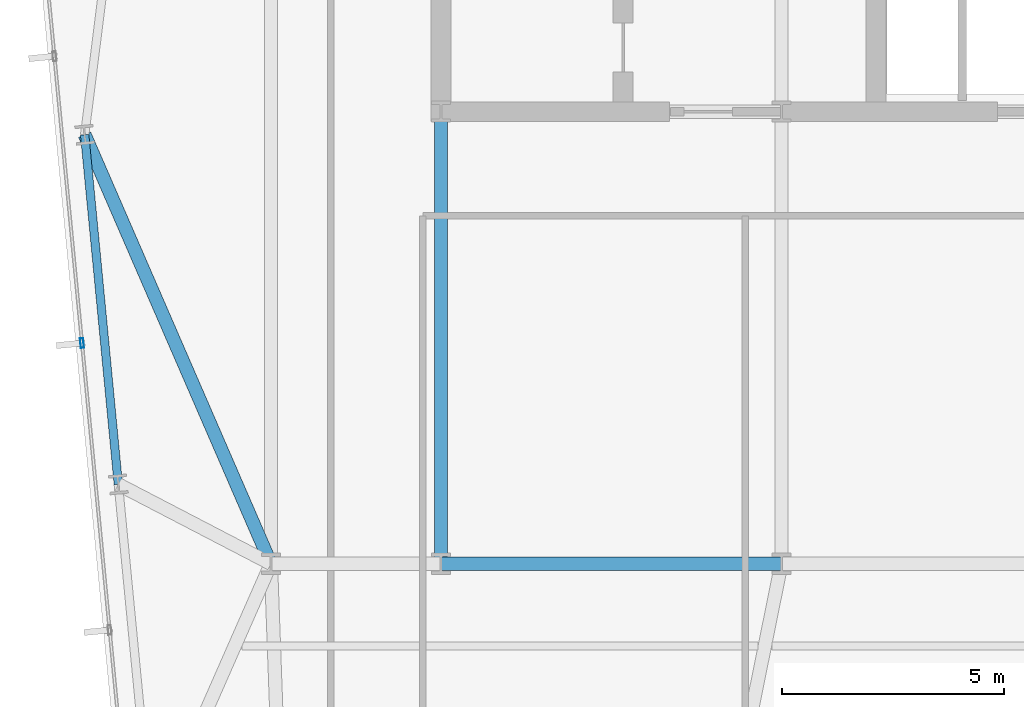
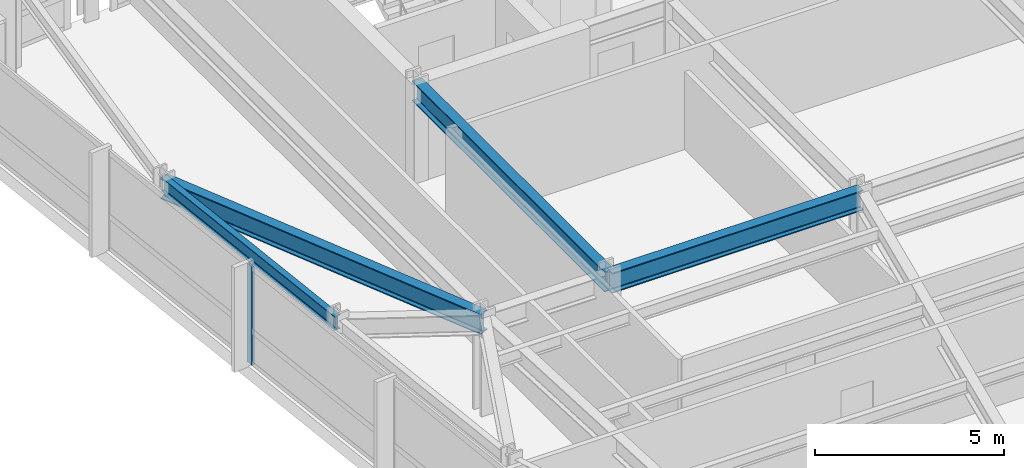
# One storey, part 7 of 33: 4 beams, 1 member, 1 element without a shape of its own.
"""IFC4 building model written with IfcOpenShell, lengths in metres."""

from ifc_helpers import new_model, si_unit, direction, frame, origin, origin_2d, place, context, subcontext, project, spatial, hollow_rectangle, i_section, extrude, material, material_profile, profile_set, type_object, element, aggregate, save


model = new_model("IFC4")

# Units and contexts
model_context = context("Model", 3, precision=1e-05, world=origin(), true_north=direction((0.0, 1.0)))
body_context = subcontext(model_context, "Body", "Model", "MODEL_VIEW")
ifc_project = project(units=[si_unit("LENGTHUNIT", "METRE"), si_unit("AREAUNIT", "SQUARE_METRE"), si_unit("VOLUMEUNIT", "CUBIC_METRE"), si_unit("PLANEANGLEUNIT", "RADIAN"), si_unit("MASSUNIT", "GRAM", prefix="KILO")], contexts=[model_context])

# Site, building, storey
site_placement = place(None, origin())
site = spatial("IfcSite", under=ifc_project, at=site_placement, CompositionType="ELEMENT")
building_placement = place(site_placement, origin())
building = spatial("IfcBuilding", under=site, at=building_placement, Name="Yelkora Congress Tower", CompositionType="ELEMENT")
storey_placement = place(building_placement, frame((0.0, 0.0, 89.699951171875)))
storey = spatial("IfcBuildingStorey", under=building, at=storey_placement, Name="L23", CompositionType="ELEMENT", Elevation=89.699951171875)

# Beams
ifc_material_1 = material(Name="Steel S355J2", Category="steel")
ifc_material_profile_1 = material_profile(ifc_material_1, i_section(OverallWidth=0.300048828125, OverallDepth=0.64990234375, WebThickness=0.01611328125, FlangeThickness=0.031005859375, FilletRadius=0.027099609375, at=origin_2d()), Name="HEB 650")
ifc_profile_set_1 = profile_set([ifc_material_profile_1], Name="Steel S355J2")
beam_type_1 = type_object("IfcBeamType", Name="BM-GIRD-HEB650", PredefinedType="BEAM", material=ifc_profile_set_1)
beam_1_placement = place(storey_placement, frame((23.0400390625, 25.199951171875, 2.85498046875), z_axis=(1.0, 0.0, 0.0), x_axis=(0.0, 1.0, 0.0)))
element("IfcBeam", 1, at=beam_1_placement, inside=storey, type_object=beam_type_1, Name="L23 Spine Grid D Girder 2", PredefinedType="BEAM", context=body_context, shape_type="SweptSolid", body=[
    extrude(i_section(OverallWidth=0.300048828125, OverallDepth=0.64990234375, WebThickness=0.01611328125, FlangeThickness=0.031005859375, FilletRadius=0.027099609375, at=origin_2d()), origin(), (0.0, 0.0, 1.0), 7.679931640625),
])
beam_2_placement = place(storey_placement, frame((23.0400390625, 25.199951171875, 2.85498046875), z_axis=(0.0, 1.0, 0.0), x_axis=(-1.0, 0.0, 0.0)))
element("IfcBeam", 2, at=beam_2_placement, inside=storey, type_object=beam_type_1, Name="L23 Core Tie Girder MC-D1", PredefinedType="BEAM", context=body_context, shape_type="SweptSolid", body=[
    extrude(i_section(OverallWidth=0.300048828125, OverallDepth=0.64990234375, WebThickness=0.01611328125, FlangeThickness=0.031005859375, FilletRadius=0.027099609375, at=origin_2d()), origin(), (0.0, 0.0, 1.0), 10.199951171875),
])
beam_3_placement = place(storey_placement, frame((14.997314453125, 34.87890625, 2.85498046875), z_axis=(0.398279362914, -0.917264165373, 0.0), x_axis=(0.917264165373, 0.398279362914, 0.0)))
element("IfcBeam", 3, at=beam_3_placement, inside=storey, type_object=beam_type_1, Name="L23 Primary Frame Girder W03", PredefinedType="BEAM", context=body_context, shape_type="SweptSolid", body=[
    extrude(i_section(OverallWidth=0.300048828125, OverallDepth=0.64990234375, WebThickness=0.01611328125, FlangeThickness=0.031005859375, FilletRadius=0.027099609375, at=origin_2d()), origin(), (0.0, 0.0, 1.0), 10.552001953125),
])
ifc_material_profile_2 = material_profile(ifc_material_1, i_section(OverallWidth=0.18994140625, OverallDepth=0.449951171875, WebThickness=0.009521484375, FlangeThickness=0.0146484375, FilletRadius=0.02099609375, at=origin_2d()), Name="IPE 450")
ifc_profile_set_2 = profile_set([ifc_material_profile_2], Name="Steel S355J2")
beam_type_2 = type_object("IfcBeamType", Name="BM-SPAN-IPE450", PredefinedType="SPANDREL", material=ifc_profile_set_2)
beam_4_placement = place(storey_placement, frame((14.997314453125, 34.87890625, 2.955078125), z_axis=(0.095870310714, -0.995393833376, 0.0), x_axis=(0.995393833376, 0.095870310714, 0.0)))
element("IfcBeam", 4, at=beam_4_placement, inside=storey, type_object=beam_type_2, Name="L23 Perimeter Beam 19", PredefinedType="SPANDREL", context=body_context, shape_type="SweptSolid", body=[
    extrude(i_section(OverallWidth=0.18994140625, OverallDepth=0.449951171875, WebThickness=0.009521484375, FlangeThickness=0.0146484375, FilletRadius=0.02099609375, at=origin_2d()), origin(), (0.0, 0.0, 1.0), 7.925048828125),
])

# Curtain wall, member
ifc_material_2 = material(Name="Anodised aluminium and insulated glass", Category="aluminium")
curtain_wall_type = type_object("IfcCurtainWallType", Name="CW-SYS-SKY", PredefinedType="NOTDEFINED", material=ifc_material_2)
curtain_wall_placement = place(storey_placement, origin())
curtain_wall = element("IfcCurtainWall", 5, at=curtain_wall_placement, inside=storey, type_object=curtain_wall_type, Name="L23 Unitised Curtain Wall 5", PredefinedType="NOTDEFINED")
ifc_material_3 = material(Name="Anodised aluminium 6063-T6", Category="aluminium")
ifc_material_profile_3 = material_profile(ifc_material_3, hollow_rectangle(XDim=0.074951171875, YDim=0.219970703125, WallThickness=0.0048828125, at=origin_2d()), Name="ALU 75x220x5")
ifc_profile_set_3 = profile_set([ifc_material_profile_3], Name="Anodised aluminium 6063-T6")
member_type = type_object("IfcMemberType", Name="MEM-ML-SKY", PredefinedType="MULLION", material=ifc_profile_set_3)
member_placement = place(storey_placement, frame((14.9375, 30.178466796875, 0.0), z_axis=(0.0, 0.0, 1.0), x_axis=(-0.995396507508, -0.095842541913, 0.0)))
member = element("IfcMember", 6, at=member_placement, type_object=member_type, Name="CW-SKY mullion 4", PredefinedType="MULLION", context=body_context, shape_type="SweptSolid", body=[
    extrude(hollow_rectangle(XDim=0.074951171875, YDim=0.219970703125, WallThickness=0.0048828125, at=origin_2d()), origin(), (0.0, 0.0, 1.0), 3.179931640625),
])
aggregate(curtain_wall, [member])

save(model, "model.ifc")
